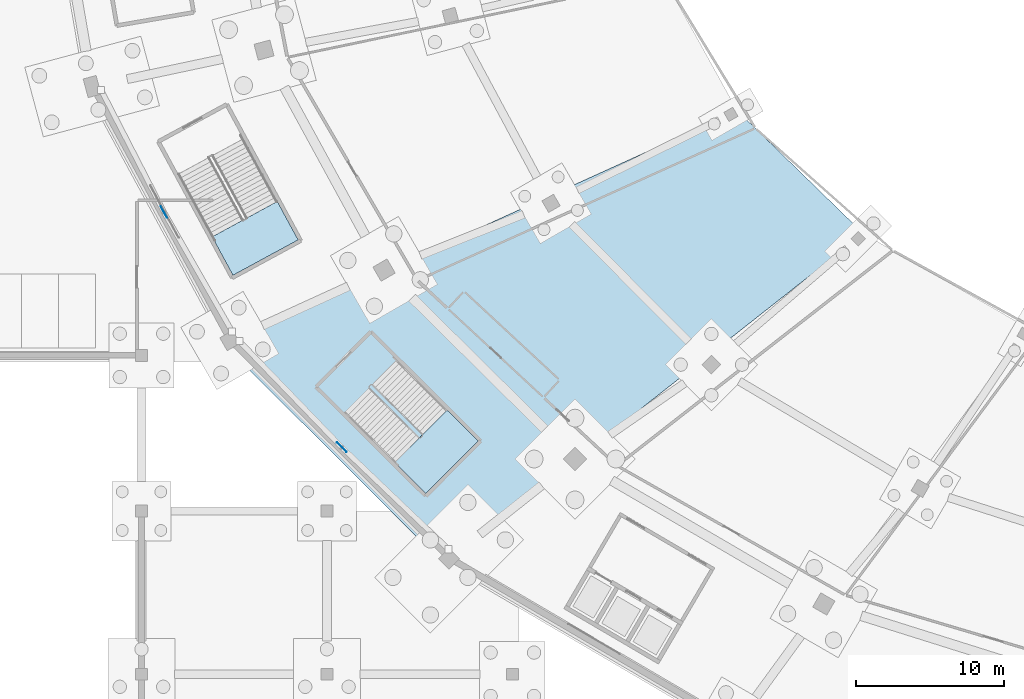
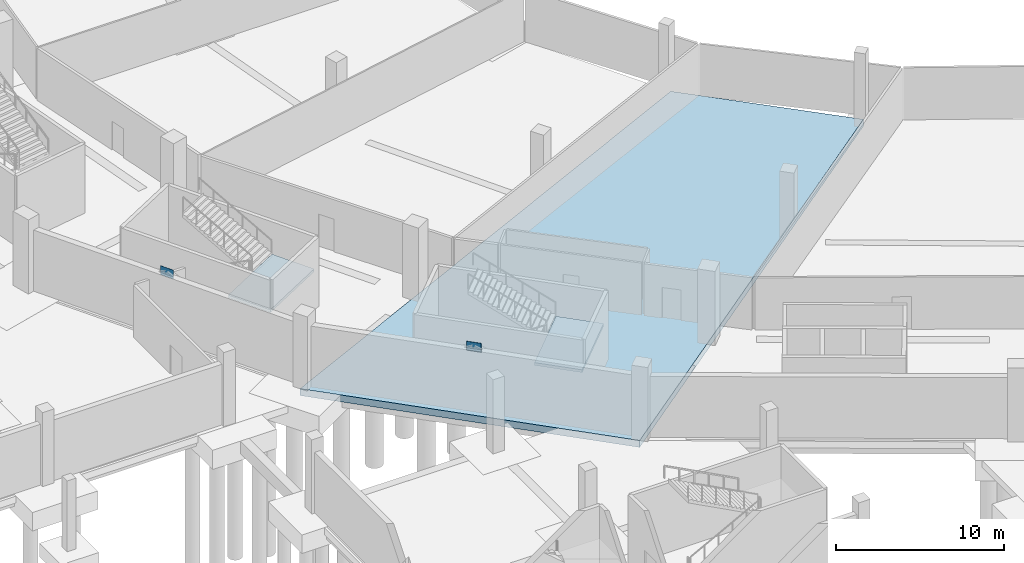
# One storey, part 15 of 74: 3 slabs, 2 plates, 2 elements without a shape of their own.
"""IFC4 building model written with IfcOpenShell, lengths in metres."""

import ifcopenshell
import ifcopenshell.guid

model = None  # the IFC model being written
_history = None  # IfcOwnerHistory: only IFC2X3 demands one
_inside = {}  # id of a spatial element -> (the spatial element, [elements in it])
_under = {}  # id of a project, library or spatial element -> (it, [spatial elements below it])
_declared = {}  # id of a project -> (the project, [libraries it declares])
_typed = {}  # id of a type object -> (the type object, [elements of that type])
_made_of = {}  # id of a material, layer set ... -> (it, [elements and type objects made of it])


def new_model(schema):
    """Start an empty IFC model of exactly this schema.

    Asked for "IFC4X3", IfcOpenShell would pick the latest addendum, in which some entities
    have other attributes; the version numbers below select the first issue.
    IFC2X3 requires an IfcOwnerHistory on every rooted entity: one is made here for all.
    """
    global model, _history
    if schema == "IFC4X3":
        model = ifcopenshell.file(schema_version=(4, 3, 0, 0))
    else:
        model = ifcopenshell.file(schema=schema)
    _inside.clear()
    _under.clear()
    _declared.clear()
    _typed.clear()
    _made_of.clear()
    _history = None
    if model.schema == "IFC2X3":
        org = make("IfcOrganization", Name="unknown")
        user = make(
            "IfcPersonAndOrganization",
            ThePerson=make("IfcPerson", FamilyName="unknown"),
            TheOrganization=org,
        )
        app = make(
            "IfcApplication",
            ApplicationDeveloper=org,
            Version="unknown",
            ApplicationFullName="unknown",
            ApplicationIdentifier="unknown",
        )
        _history = make(
            "IfcOwnerHistory",
            OwningUser=user,
            OwningApplication=app,
            ChangeAction="ADDED",
            CreationDate=0,
        )
    return model


def make(cls, **values):
    """One entity of the class cls with the attributes given. An attribute that is None is left unset."""
    return model.create_entity(
        cls, **{name: value for name, value in values.items() if value is not None}
    )


def rooted(cls, **values):
    """An entity with a GlobalId (a new one), such as an element, a storey or a relation."""
    return make(cls, GlobalId=ifcopenshell.guid.new(), OwnerHistory=_history, **values)


def si_unit(unit_type, name, prefix=None):
    """IfcSIUnit, for example si_unit("LENGTHUNIT", "METRE", prefix="MILLI")."""
    return make("IfcSIUnit", UnitType=unit_type, Prefix=prefix, Name=name)


def assignment(units):
    """IfcUnitAssignment: the units of a project."""
    return None if units is None else make("IfcUnitAssignment", Units=units)


def point(xyz):
    """IfcCartesianPoint."""
    return None if xyz is None else make("IfcCartesianPoint", Coordinates=xyz)


def direction(xyz):
    """IfcDirection."""
    return None if xyz is None else make("IfcDirection", DirectionRatios=xyz)


def frame(location, z_axis=None, x_axis=None):
    """IfcAxis2Placement3D, a coordinate frame: its origin and axes. An axis left out is left unset."""
    return make(
        "IfcAxis2Placement3D",
        Location=point(location),
        Axis=direction(z_axis),
        RefDirection=direction(x_axis),
    )


def frame_2d(location, x_axis=None):
    """IfcAxis2Placement2D, a coordinate frame in the plane: its origin and x axis."""
    return make(
        "IfcAxis2Placement2D", Location=point(location), RefDirection=direction(x_axis)
    )


def origin():
    """The frame at (0, 0, 0) with its axes left unset."""
    return frame((0.0, 0.0, 0.0))


def origin_2d():
    """The frame at (0, 0) in the plane with its x axis left unset."""
    return frame_2d((0.0, 0.0))


def place(relative_to, where):
    """IfcLocalPlacement: puts the frame where relative to a parent placement (None: the world)."""
    return make(
        "IfcLocalPlacement", PlacementRelTo=relative_to, RelativePlacement=where
    )


def context(
    kind, dimensions, precision=None, world=None, true_north=None, identifier=None
):
    """IfcGeometricRepresentationContext, for example the 3D "Model" context."""
    return make(
        "IfcGeometricRepresentationContext",
        ContextIdentifier=identifier,
        ContextType=kind,
        CoordinateSpaceDimension=dimensions,
        Precision=precision,
        WorldCoordinateSystem=world,
        TrueNorth=true_north,
    )


def subcontext(parent, identifier, kind, view, scale=None):
    """IfcGeometricRepresentationSubContext, for example "Body" below "Model"."""
    return make(
        "IfcGeometricRepresentationSubContext",
        ContextIdentifier=identifier,
        ContextType=kind,
        ParentContext=parent,
        TargetScale=scale,
        TargetView=view,
    )


def project(units=None, contexts=None):
    """IfcProject with its units and contexts."""
    return rooted(
        "IfcProject",
        Name="project",
        RepresentationContexts=contexts,
        UnitsInContext=assignment(units),
    )


def spatial(cls, under=None, at=None, **own):
    """A site, building, storey or space (cls), placed at a placement, below another one or the project."""
    s = rooted(cls, ObjectPlacement=at, **own)
    if under is not None:
        _under.setdefault(under.id(), (under, []))[1].append(s)
    return s


def polyline(points):
    """IfcPolyline through the points."""
    return make("IfcPolyline", Points=[point(p) for p in points])


def profile(cls, at=None, kind="AREA", **sizes):
    """A parametric profile (cls). Its sizes go by their IFC names, for example OverallWidth=200.0."""
    return make(cls, ProfileType=kind, Position=at, **sizes)


def rectangle(**sizes):
    """IfcRectangleProfileDef."""
    return profile("IfcRectangleProfileDef", **sizes)


def outline(outer, holes=None, kind="AREA"):
    """IfcArbitraryClosedProfileDef: a profile drawn as a closed curve; with holes, ...WithVoids."""
    if holes is None:
        return make("IfcArbitraryClosedProfileDef", ProfileType=kind, OuterCurve=outer)
    return make(
        "IfcArbitraryProfileDefWithVoids",
        ProfileType=kind,
        OuterCurve=outer,
        InnerCurves=holes,
    )


def extrude(swept, where, along, depth):
    """IfcExtrudedAreaSolid: the profile swept, set in the frame where, extruded along a direction by depth."""
    return make(
        "IfcExtrudedAreaSolid",
        SweptArea=swept,
        Position=where,
        ExtrudedDirection=direction(along),
        Depth=depth,
    )


def shape(context_of_items, identifier, shape_type, items):
    """IfcShapeRepresentation: the items that make up one representation, for example the "Body"."""
    return make(
        "IfcShapeRepresentation",
        ContextOfItems=context_of_items,
        RepresentationIdentifier=identifier,
        RepresentationType=shape_type,
        Items=items,
    )


def material(Name=None, Category=None):
    """IfcMaterial."""
    return make("IfcMaterial", Name=Name, Category=Category)


def layer(
    of_material, thickness, ventilated=None, Name=None, Category=None, Priority=None
):
    """IfcMaterialLayer: one layer of a wall or slab, of a material (None: an air gap)."""
    return make(
        "IfcMaterialLayer",
        Material=of_material,
        LayerThickness=thickness,
        IsVentilated=ventilated,
        Name=Name,
        Category=Category,
        Priority=Priority,
    )


def layer_set(layers, Name=None):
    """IfcMaterialLayerSet."""
    return make("IfcMaterialLayerSet", MaterialLayers=layers, LayerSetName=Name)


def made_of(thing, what):
    """Note that an element or type object is made of a material, layer set ...; save() writes the relation."""
    if what is not None:
        _made_of.setdefault(what.id(), (what, []))[1].append(thing)
    return thing


def type_object(cls, material=None, **own):
    """A type object (cls), such as IfcWallType, which elements share."""
    return made_of(rooted(cls, **own), material)


def element(
    cls,
    number,
    at=None,
    inside=None,
    cuts=None,
    type_object=None,
    material=None,
    context=None,
    identifier="Body",
    shape_type=None,
    held_by="IfcProductDefinitionShape",
    body=None,
    shapes=None,
    **own,
):
    """One element of the class cls, such as IfcWall. Its Tag is "e" and its number.

    at: its placement. inside: the storey or other place that contains it. cuts: it is an
    opening in that element (IfcRelVoidsElement). A single representation is given by context,
    identifier, shape_type and body (its items); several are given by shapes. held_by: the class
    of the entity that holds the representations. save() writes the other relations.
    """
    e = rooted(cls, Tag="e%d" % number, ObjectPlacement=at, **own)
    if body is not None:
        shapes = [shape(context, identifier, shape_type, body)]
    if shapes is not None:
        e.Representation = make(held_by, Representations=shapes)
    if inside is not None:
        _inside.setdefault(inside.id(), (inside, []))[1].append(e)
    if cuts is not None:
        rooted(
            "IfcRelVoidsElement", RelatingBuildingElement=cuts, RelatedOpeningElement=e
        )
    if type_object is not None:
        _typed.setdefault(type_object.id(), (type_object, []))[1].append(e)
    return made_of(e, material)


def aggregate(whole, parts):
    """IfcRelAggregates: a whole, such as a stair, and the parts it consists of."""
    return rooted("IfcRelAggregates", RelatingObject=whole, RelatedObjects=parts)


def save(model, path):
    """Write the relations noted so far, then the file.

    IfcRelAggregates (storeys below a building ...), IfcRelContainedInSpatialStructure (elements
    in a storey), IfcRelDefinesByType, IfcRelAssociatesMaterial and IfcRelDeclares: one each for
    every whole, place, type object, material and project.
    """
    for whole, parts in _under.values():
        aggregate(whole, parts)
    for where, things in _inside.values():
        rooted(
            "IfcRelContainedInSpatialStructure",
            RelatedElements=things,
            RelatingStructure=where,
        )
    for kind, things in _typed.values():
        rooted("IfcRelDefinesByType", RelatedObjects=things, RelatingType=kind)
    for what, things in _made_of.values():
        rooted("IfcRelAssociatesMaterial", RelatedObjects=things, RelatingMaterial=what)
    for by, libraries in _declared.values():
        rooted("IfcRelDeclares", RelatingContext=by, RelatedDefinitions=libraries)
    model.write(path)


model = new_model("IFC4")

# Units and contexts
model_context = context("Model", 3, precision=1e-05, world=origin(), true_north=direction((0.0, 1.0)))
body_context = subcontext(model_context, "Body", "Model", "MODEL_VIEW")
ifc_project = project(units=[si_unit("LENGTHUNIT", "METRE"), si_unit("AREAUNIT", "SQUARE_METRE"), si_unit("VOLUMEUNIT", "CUBIC_METRE"), si_unit("PLANEANGLEUNIT", "RADIAN"), si_unit("MASSUNIT", "GRAM", prefix="KILO")], contexts=[model_context])

# Site, building, storey
site_placement = place(None, origin())
site = spatial("IfcSite", under=ifc_project, at=site_placement, CompositionType="ELEMENT")
building_placement = place(site_placement, origin())
building = spatial("IfcBuilding", under=site, at=building_placement, Name="Zlatoyarsky Gate Stadium", CompositionType="ELEMENT")
storey_placement = place(building_placement, frame((0.0, 0.0, -5.39990234375)))
storey = spatial("IfcBuildingStorey", under=building, at=storey_placement, Name="B1", CompositionType="ELEMENT", Elevation=-5.39990234375)

# Slab
ifc_material_1 = material(Name="Concrete C35/45", Category="concrete")
ifc_layer_1 = layer(ifc_material_1, 0.5)
ifc_layer_set_1 = layer_set([ifc_layer_1], Name="Concrete C35/45")
slab_type_1 = type_object("IfcSlabType", Name="CONCRETE BASE SLAB 500", PredefinedType="BASESLAB", material=ifc_layer_set_1)
slab_1_placement = place(storey_placement, frame((0.0, 0.0, -0.5)))
element("IfcSlab", 1, at=slab_1_placement, inside=storey, type_object=slab_type_1, Name="B1 bowl sector 14 slab", PredefinedType="BASESLAB", context=body_context, shape_type="SweptSolid", body=[
    extrude(outline(polyline([(73.169921875, 51.7158203125), (44.885498046875, 29.44189453125), (30.026611328125, 44.25), (64.66748046875, 60.0), (73.169921875, 51.7158203125)])), origin(), (0.0, 0.0, 1.0), 0.5),
])

# Stair, slab
ifc_material_2 = material(Name="Concrete C40/50", Category="concrete")
stair_type = type_object("IfcStairType", Name="CONCRETE DOGLEG EXIT STAIR H5400", PredefinedType="TWO_STRAIGHT_RUN_STAIR", material=ifc_material_2)
stair_1_placement = place(storey_placement, origin())
stair_1 = element("IfcStair", 2, at=stair_1_placement, inside=storey, type_object=stair_type, Name="B1 Exit Stair ST-08", PredefinedType="TWO_STRAIGHT_RUN_STAIR")
ifc_layer_2 = layer(ifc_material_2, 0.199951171875)
ifc_layer_set_2 = layer_set([ifc_layer_2], Name="Concrete C40/50")
slab_type_2 = type_object("IfcSlabType", Name="CONCRETE STAIR LANDING SLAB 200", PredefinedType="LANDING", material=ifc_layer_set_2)
slab_2_placement = place(storey_placement, frame((0.0, 0.0, 2.5)))
slab_2 = element("IfcSlab", 3, at=slab_2_placement, type_object=slab_type_2, Name="ST-DG54 landing 1", PredefinedType="LANDING", context=body_context, shape_type="SweptSolid", body=[
    extrude(outline(polyline([(41.574462890625, 36.267333984375), (43.665771484375, 34.1865234375), (47.1923828125, 37.73095703125), (45.10107421875, 39.811767578125), (41.574462890625, 36.267333984375)])), origin(), (0.0, 0.0, 1.0), 0.199951171875),
])
aggregate(stair_1, [slab_2])

stair_2_placement = place(storey_placement, origin())
stair_2 = element("IfcStair", 4, at=stair_2_placement, inside=storey, type_object=stair_type, Name="B1 Exit Stair ST-15", PredefinedType="TWO_STRAIGHT_RUN_STAIR")
slab_3_placement = place(storey_placement, frame((0.0, 0.0, 2.5)))
slab_3 = element("IfcSlab", 5, at=slab_3_placement, type_object=slab_type_2, Name="ST-DG54 landing 1", PredefinedType="LANDING", context=body_context, shape_type="SweptSolid", body=[
    extrude(outline(polyline([(29.258544921875, 51.49365234375), (30.66552734375, 48.90087890625), (35.060302734375, 51.28515625), (33.653564453125, 53.878173828125), (29.258544921875, 51.49365234375)])), origin(), (0.0, 0.0, 1.0), 0.199951171875),
])
aggregate(stair_2, [slab_3])

# Plates
ifc_material_3 = material(Name="Steel S355", Category="steel")
ifc_layer_3 = layer(ifc_material_3, 0.02001953125)
ifc_layer_set_3 = layer_set([ifc_layer_3], Name="Steel S355")
plate_type = type_object("IfcPlateType", Name="STEEL BRACE GUSSET PLATE 20", PredefinedType="USERDEFINED", material=ifc_layer_set_3)
for number, where, z_axis, x_axis, name in (
    (6, (26.007568359375, 53.166748046875, 4.155029296875), (0.0, 0.0, 1.0), (0.476890560212, -0.878962680425, 0.0), "Chevron brace gusset plate ND-BR1 5"),
    (7, (38.00439453125, 37.3037109375, 4.155029296875), (0.0, 0.0, 1.0), (0.708900794095, -0.705308205065, 0.0), "Chevron brace gusset plate ND-BR1 6"),
):
    element("IfcPlate", number, at=place(storey_placement, frame(where, z_axis=z_axis, x_axis=x_axis)), inside=storey, type_object=plate_type, Name=name, ObjectType="GUSSET PLATE", PredefinedType="USERDEFINED", context=body_context, shape_type="SweptSolid", body=[
        extrude(rectangle(XDim=0.89990234375, YDim=0.02001953125, at=origin_2d()), origin(), (0.0, 0.0, 1.0), 0.64990234375),
    ])

save(model, "model.ifc")
